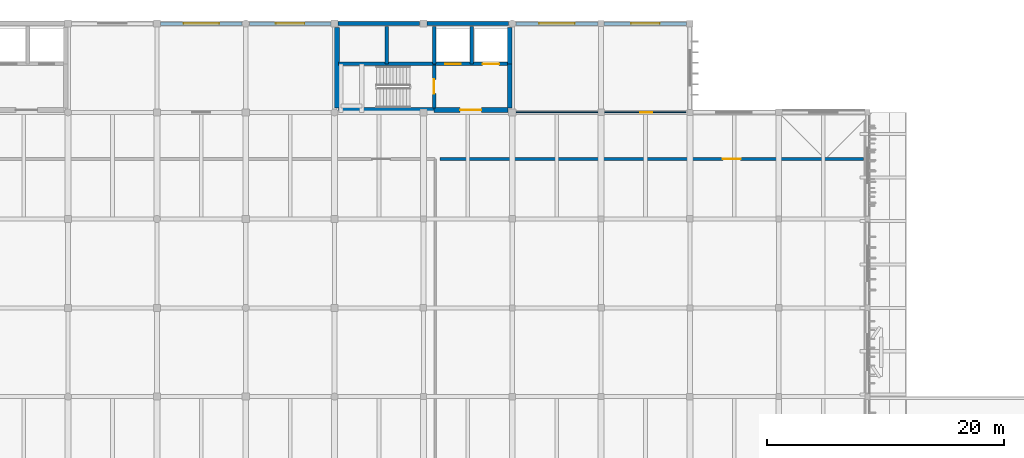
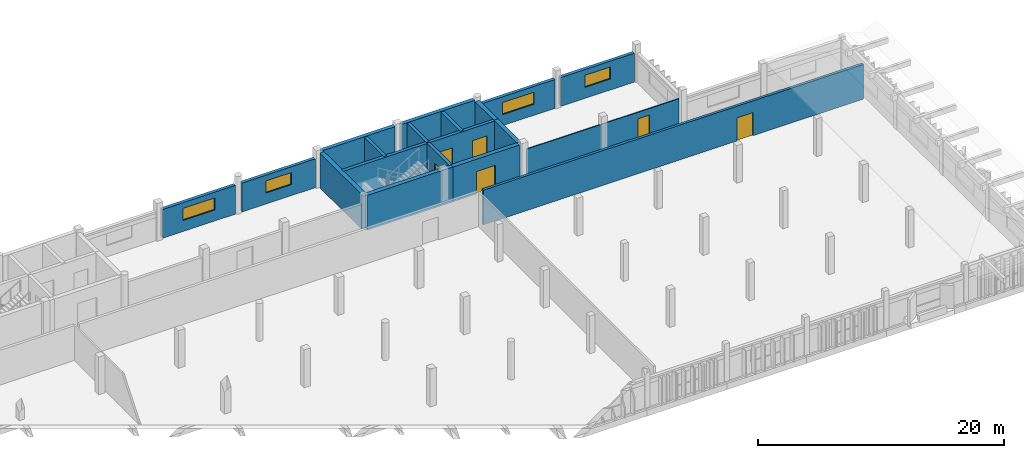
# One storey, part 23 of 43: 19 walls, 6 doors, 4 windows, 10 openings.
"""IFC4 building model written with IfcOpenShell, lengths in metres."""

from ifc_helpers import new_model, si_unit, direction, frame, frame_2d, origin, place, context, subcontext, project, spatial, rectangle, extrude, material, layer, layer_set, type_object, element, fill, save


model = new_model("IFC4")

# Units and contexts
model_context = context("Model", 3, precision=1e-05, world=origin(), true_north=direction((0.0, 1.0)))
body_context = subcontext(model_context, "Body", "Model", "MODEL_VIEW")
ifc_project = project(units=[si_unit("LENGTHUNIT", "METRE"), si_unit("AREAUNIT", "SQUARE_METRE"), si_unit("VOLUMEUNIT", "CUBIC_METRE"), si_unit("PLANEANGLEUNIT", "RADIAN"), si_unit("MASSUNIT", "GRAM", prefix="KILO")], contexts=[model_context])

# Site, building, storey
site_placement = place(None, origin())
site = spatial("IfcSite", under=ifc_project, at=site_placement, CompositionType="ELEMENT")
building_placement = place(site_placement, origin())
building = spatial("IfcBuilding", under=site, at=building_placement, Name="Dalvernix Boulevard General Hospital", CompositionType="ELEMENT")
storey_placement = place(building_placement, frame((0.0, 0.0, 14.10009765625)))
storey = spatial("IfcBuildingStorey", under=building, at=storey_placement, Name="L03", CompositionType="ELEMENT", Elevation=14.10009765625)

# Wall
ifc_material_1 = material(Name="Concrete C40/50", Category="concrete")
ifc_layer_1 = layer(ifc_material_1, 0.39990234375)
ifc_layer_set_1 = layer_set([ifc_layer_1], Name="Concrete C40/50 (WAL-CSW-01)")
wall_type_1 = type_object("IfcWallType", Name="WAL-CSW-01", PredefinedType="SHEAR", material=ifc_layer_set_1)
wall_1_placement = place(storey_placement, frame((97.85009765625, 109.699951171875, 0.0), z_axis=(0.0, 0.0, 1.0), x_axis=(1.0, 0.0, 0.0)))
element("IfcWall", 1, at=wall_1_placement, inside=storey, type_object=wall_type_1, Name="L03 C4 south stairwell wall", PredefinedType="SHEAR", context=body_context, shape_type="SweptSolid", body=[
    extrude(rectangle(XDim=8.0498046875, YDim=0.39990234375, at=frame_2d((4.02490234375, 0.0))), origin(), (0.0, 0.0, 1.0), 3.469970703125),
])

# Wall, opening, door
wall_2_placement = place(storey_placement, frame((105.89990234375, 109.699951171875, 0.0), z_axis=(0.0, 0.0, 1.0), x_axis=(1.0, 0.0, 0.0)))
wall_2 = element("IfcWall", 2, at=wall_2_placement, inside=storey, type_object=wall_type_1, Name="L03 C4 south firefighting lobby wall", PredefinedType="SHEAR", context=body_context, shape_type="SweptSolid", body=[
    extrude(rectangle(XDim=6.25, YDim=0.39990234375, at=frame_2d((3.125, 0.0))), origin(), (0.0, 0.0, 1.0), 3.469970703125),
])
opening_1_placement = place(wall_2_placement, frame((2.199951171875, 0.0, 0.0)))
opening_1 = element("IfcOpeningElement", 3, at=opening_1_placement, cuts=wall_2, Name="Opening FD-01", PredefinedType="OPENING", context=body_context, shape_type="SweptSolid", body=[
    extrude(rectangle(XDim=1.800048828125, YDim=2.25, at=frame_2d((0.89990234375, 1.125))), frame((0.0, 0.2099609375, 0.0), z_axis=(0.0, -1.0, 0.0), x_axis=(1.0, 0.0, 0.0)), (0.0, 0.0, 1.0), 0.419921875),
])
ifc_material_2 = material(Name="Hospital laminate acoustic timber and steel frame", Category="steel")
door_type_1 = type_object("IfcDoorType", Name="DR-FD-01", OperationType="DOUBLE_DOOR_SINGLE_SWING", PredefinedType="DOOR", material=ifc_material_2)
door_1_placement = place(opening_1_placement, origin())
door_1 = element("IfcDoor", 4, at=door_1_placement, inside=storey, type_object=door_type_1, Name="L03 C4 firefighting lobby door", OperationType="DOUBLE_DOOR_SINGLE_SWING", OverallHeight=2.25, OverallWidth=1.800048828125, PredefinedType="DOOR", context=body_context, shape_type="SweptSolid", body=[
    extrude(rectangle(XDim=1.800048828125, YDim=2.25, at=frame_2d((0.89990234375, 1.125))), frame((0.0, 0.02490234375, 0.0), z_axis=(0.0, -1.0, 0.0), x_axis=(1.0, 0.0, 0.0)), (0.0, 0.0, 1.0), 0.050048828125),
])
fill(opening_1, door_1)

# Walls
wall_3_placement = place(storey_placement, frame((97.699951171875, 109.85009765625, 0.0), z_axis=(0.0, 0.0, 1.0), x_axis=(0.0, 1.0, 0.0)))
element("IfcWall", 5, at=wall_3_placement, inside=storey, type_object=wall_type_1, Name="L03 C4 west core wall", PredefinedType="SHEAR", context=body_context, shape_type="SweptSolid", body=[
    extrude(rectangle(XDim=6.7998046875, YDim=0.39990234375, at=frame_2d((3.39990234375, 0.0))), origin(), (0.0, 0.0, 1.0), 3.469970703125),
])
wall_4_placement = place(storey_placement, frame((112.300048828125, 109.85009765625, 0.0), z_axis=(0.0, 0.0, 1.0), x_axis=(0.0, 1.0, 0.0)))
element("IfcWall", 6, at=wall_4_placement, inside=storey, type_object=wall_type_1, Name="L03 C4 east lobby core wall", PredefinedType="SHEAR", context=body_context, shape_type="SweptSolid", body=[
    extrude(rectangle(XDim=3.75, YDim=0.39990234375, at=frame_2d((1.875, 0.0))), origin(), (0.0, 0.0, 1.0), 3.469970703125),
])
wall_5_placement = place(storey_placement, frame((112.300048828125, 113.60009765625, 0.0), z_axis=(0.0, 0.0, 1.0), x_axis=(0.0, 1.0, 0.0)))
element("IfcWall", 7, at=wall_5_placement, inside=storey, type_object=wall_type_1, Name="L03 C4 east shaft core wall", PredefinedType="SHEAR", context=body_context, shape_type="SweptSolid", body=[
    extrude(rectangle(XDim=3.0498046875, YDim=0.39990234375, at=frame_2d((1.52490234375, 0.0))), origin(), (0.0, 0.0, 1.0), 3.469970703125),
])
ifc_layer_2 = layer(ifc_material_1, 0.300048828125)
ifc_layer_set_2 = layer_set([ifc_layer_2], Name="Concrete C40/50 (WAL-CSW-02)")
wall_type_2 = type_object("IfcWallType", Name="WAL-CSW-02", PredefinedType="SHEAR", material=ifc_layer_set_2)
wall_6_placement = place(storey_placement, frame((97.85009765625, 113.60009765625, 0.0), z_axis=(0.0, 0.0, 1.0), x_axis=(1.0, 0.0, 0.0)))
element("IfcWall", 8, at=wall_6_placement, inside=storey, type_object=wall_type_2, Name="L03 C4 riser spine wall", PredefinedType="SHEAR", context=body_context, shape_type="SweptSolid", body=[
    extrude(rectangle(XDim=8.0498046875, YDim=0.300048828125, at=frame_2d((4.02490234375, 0.0))), origin(), (0.0, 0.0, 1.0), 3.469970703125),
])

# Wall, openings, doors
wall_7_placement = place(storey_placement, frame((105.89990234375, 113.60009765625, 0.0), z_axis=(0.0, 0.0, 1.0), x_axis=(1.0, 0.0, 0.0)))
wall_7 = element("IfcWall", 9, at=wall_7_placement, inside=storey, type_object=wall_type_2, Name="L03 C4 lift shaft front wall", PredefinedType="SHEAR", context=body_context, shape_type="SweptSolid", body=[
    extrude(rectangle(XDim=6.25, YDim=0.300048828125, at=frame_2d((3.125, 0.0))), origin(), (0.0, 0.0, 1.0), 3.469970703125),
])
opening_2_placement = place(wall_7_placement, frame((0.949951171875, 0.0, 0.0)))
opening_2 = element("IfcOpeningElement", 10, at=opening_2_placement, cuts=wall_7, Name="Opening LD-LF-03-L03", PredefinedType="OPENING", context=body_context, shape_type="SweptSolid", body=[
    extrude(rectangle(XDim=1.300048828125, YDim=2.199951171875, at=frame_2d((0.64990234375, 1.10009765625))), frame((0.0, 0.159912109375, 0.0), z_axis=(0.0, -1.0, 0.0), x_axis=(1.0, 0.0, 0.0)), (0.0, 0.0, 1.0), 0.320068359375),
])
opening_3_placement = place(wall_7_placement, frame((4.10009765625, 0.0, 0.0)))
opening_3 = element("IfcOpeningElement", 11, at=opening_3_placement, cuts=wall_7, Name="Opening LD-GL-01-L03", PredefinedType="OPENING", context=body_context, shape_type="SweptSolid", body=[
    extrude(rectangle(XDim=1.39990234375, YDim=2.25, at=frame_2d((0.699951171875, 1.125))), frame((0.0, 0.159912109375, 0.0), z_axis=(0.0, -1.0, 0.0), x_axis=(1.0, 0.0, 0.0)), (0.0, 0.0, 1.0), 0.320068359375),
])
ifc_material_3 = material(Name="Stainless-clad steel", Category="steel")
door_type_2 = type_object("IfcDoorType", Name="DR-LD-01", OperationType="DOUBLE_DOOR_SLIDING", PredefinedType="DOOR", material=ifc_material_3)
door_2_placement = place(opening_3_placement, origin())
door_2 = element("IfcDoor", 12, at=door_2_placement, inside=storey, type_object=door_type_2, Name="L03 Lift GL-01 sliding landing door", OperationType="DOUBLE_DOOR_SLIDING", OverallHeight=2.25, OverallWidth=1.39990234375, PredefinedType="DOOR", context=body_context, shape_type="SweptSolid", body=[
    extrude(rectangle(XDim=1.39990234375, YDim=2.25, at=frame_2d((0.699951171875, 1.125))), frame((0.0, 0.02490234375, 0.0), z_axis=(0.0, -1.0, 0.0), x_axis=(1.0, 0.0, 0.0)), (0.0, 0.0, 1.0), 0.050048828125),
])
fill(opening_3, door_2)
door_type_3 = type_object("IfcDoorType", Name="DR-LD-02", OperationType="DOUBLE_DOOR_SLIDING", PredefinedType="DOOR", material=ifc_material_3)
door_3_placement = place(opening_2_placement, origin())
door_3 = element("IfcDoor", 13, at=door_3_placement, inside=storey, type_object=door_type_3, Name="L03 Lift LF-03 sliding landing door", OperationType="DOUBLE_DOOR_SLIDING", OverallHeight=2.199951171875, OverallWidth=1.300048828125, PredefinedType="DOOR", context=body_context, shape_type="SweptSolid", body=[
    extrude(rectangle(XDim=1.300048828125, YDim=2.199951171875, at=frame_2d((0.64990234375, 1.10009765625))), frame((0.0, 0.02490234375, 0.0), z_axis=(0.0, -1.0, 0.0), x_axis=(1.0, 0.0, 0.0)), (0.0, 0.0, 1.0), 0.050048828125),
])
fill(opening_2, door_3)

# Wall, opening, door
wall_8_placement = place(storey_placement, frame((105.89990234375, 113.5, 0.0), z_axis=(0.0, 0.0, 1.0), x_axis=(0.0, -1.0, 0.0)))
wall_8 = element("IfcWall", 14, at=wall_8_placement, inside=storey, type_object=wall_type_2, Name="L03 C4 stairwell fire wall", PredefinedType="SHEAR", context=body_context, shape_type="SweptSolid", body=[
    extrude(rectangle(XDim=3.64990234375, YDim=0.300048828125, at=frame_2d((1.824951171875, 0.0))), origin(), (0.0, 0.0, 1.0), 3.469970703125),
])
opening_4_placement = place(wall_8_placement, frame((1.219970703125, 0.0, 0.0)))
opening_4 = element("IfcOpeningElement", 15, at=opening_4_placement, cuts=wall_8, Name="Opening FD-02", PredefinedType="OPENING", context=body_context, shape_type="SweptSolid", body=[
    extrude(rectangle(XDim=1.199951171875, YDim=2.25, at=frame_2d((0.60009765625, 1.125))), frame((0.0, 0.159912109375, 0.0), z_axis=(0.0, -1.0, 0.0), x_axis=(1.0, 0.0, 0.0)), (0.0, 0.0, 1.0), 0.320068359375),
])
door_type_4 = type_object("IfcDoorType", Name="DR-FD-02", OperationType="NOTDEFINED", PredefinedType="DOOR", material=ifc_material_2)
door_4_placement = place(opening_4_placement, origin())
door_4 = element("IfcDoor", 16, at=door_4_placement, inside=storey, type_object=door_type_4, Name="L03 Stair ST-04 fire door", OperationType="SINGLE_SWING_LEFT", OverallHeight=2.25, OverallWidth=1.199951171875, PredefinedType="DOOR", context=body_context, shape_type="SweptSolid", body=[
    extrude(rectangle(XDim=1.199951171875, YDim=2.25, at=frame_2d((0.60009765625, 1.125))), frame((0.0, 0.02490234375, 0.0), z_axis=(0.0, -1.0, 0.0), x_axis=(1.0, 0.0, 0.0)), (0.0, 0.0, 1.0), 0.050048828125),
])
fill(opening_4, door_4)

# Walls
for number, where, z_axis, x_axis, name in (
    (17, (101.89990234375, 113.60009765625, 0.0), (0.0, 0.0, 1.0), (0.0, 1.0, 0.0), "L03 C4 shaft divider R1"),
    (18, (105.89990234375, 113.60009765625, 0.0), (0.0, 0.0, 1.0), (0.0, 1.0, 0.0), "L03 C4 shaft divider R2"),
    (19, (109.10009765625, 113.60009765625, 0.0), (0.0, 0.0, 1.0), (0.0, 1.0, 0.0), "L03 C4 shaft divider L1"),
):
    element("IfcWall", number, at=place(storey_placement, frame(where, z_axis=z_axis, x_axis=x_axis)), inside=storey, type_object=wall_type_2, Name=name, PredefinedType="SHEAR", context=body_context, shape_type="SweptSolid", body=[
        extrude(rectangle(XDim=3.14990234375, YDim=0.300048828125, at=frame_2d((1.574951171875, 0.0))), origin(), (0.0, 0.0, 1.0), 3.469970703125),
    ])
ifc_layer_3 = layer(ifc_material_1, 0.35009765625)
ifc_layer_set_3 = layer_set([ifc_layer_3], Name="Concrete C40/50 (WAL-ESW-01)")
wall_type_3 = type_object("IfcWallType", Name="WAL-ESW-01", PredefinedType="SHEAR", material=ifc_layer_set_3)
for number, where, z_axis, x_axis, name in (
    (20, (97.81005859375, 117.0, 0.0), (0.0, 0.0, 1.0), (1.0, 0.0, 0.0), "L03 core perimeter shear wall N 13-15"),
    (21, (105.31005859375, 117.0, 0.0), (0.0, 0.0, 1.0), (1.0, 0.0, 0.0), "L03 core perimeter shear wall N 14-15"),
):
    element("IfcWall", number, at=place(storey_placement, frame(where, z_axis=z_axis, x_axis=x_axis)), inside=storey, type_object=wall_type_3, Name=name, PredefinedType="SHEAR", context=body_context, shape_type="SweptSolid", body=[
        extrude(rectangle(XDim=6.8798828125, YDim=0.35009765625, at=frame_2d((3.43994140625, 0.0))), origin(), (0.0, 0.0, 1.0), 3.469970703125),
    ])

# Wall, opening, window
ifc_material_4 = material(Name="Pressed Catalan clay brick and ceramic spandrel wall C35/45", Category="masonry")
ifc_layer_4 = layer(ifc_material_4, 0.300048828125)
ifc_layer_set_4 = layer_set([ifc_layer_4], Name="Pressed Catalan clay brick and ceramic spandrel wall C35/45 (WAL-EW-02)")
wall_type_4 = type_object("IfcWallType", Name="WAL-EW-02", PredefinedType="STANDARD", material=ifc_layer_set_4)
wall_9_placement = place(storey_placement, frame((82.81005859375, 117.0, 0.0), z_axis=(0.0, 0.0, 1.0), x_axis=(1.0, 0.0, 0.0)))
wall_9 = element("IfcWall", 22, at=wall_9_placement, inside=storey, type_object=wall_type_4, Name="L03 Catalan brick external wall N 11-15", PredefinedType="STANDARD", context=body_context, shape_type="SweptSolid", body=[
    extrude(rectangle(XDim=6.8798828125, YDim=0.300048828125, at=frame_2d((3.43994140625, 0.0))), origin(), (0.0, 0.0, 1.0), 2.869873046875),
])
opening_5_placement = place(wall_9_placement, frame((1.93994140625, 0.0, 1.10009765625)))
opening_5 = element("IfcOpeningElement", 23, at=opening_5_placement, cuts=wall_9, Name="Opening WN-18", PredefinedType="OPENING", context=body_context, shape_type="SweptSolid", body=[
    extrude(rectangle(XDim=3.0, YDim=1.199951171875, at=frame_2d((1.5, 0.60009765625))), frame((0.0, 0.159912109375, 0.0), z_axis=(0.0, -1.0, 0.0), x_axis=(1.0, 0.0, 0.0)), (0.0, 0.0, 1.0), 0.320068359375),
])
ifc_material_5 = material(Name="Thermally broken aluminium frame with solar-control double glazing", Category="aluminium")
window_type_1 = type_object("IfcWindowType", Name="WIN-WN-18", PartitioningType="SINGLE_PANEL", PredefinedType="WINDOW", material=ifc_material_5)
window_1_placement = place(opening_5_placement, origin())
window_1 = element("IfcWindow", 24, at=window_1_placement, inside=storey, type_object=window_type_1, Name="L03 clinical window WN-18 N 11-15", OverallHeight=1.199951171875, OverallWidth=3.0, PartitioningType="SINGLE_PANEL", PredefinedType="WINDOW", context=body_context, shape_type="SweptSolid", body=[
    extrude(rectangle(XDim=3.0, YDim=1.199951171875, at=frame_2d((1.5, 0.60009765625))), frame((0.0, 0.030029296875, 0.0), z_axis=(0.0, -1.0, 0.0), x_axis=(1.0, 0.0, 0.0)), (0.0, 0.0, 1.0), 0.06005859375),
])
fill(opening_5, window_1)

wall_10_placement = place(storey_placement, frame((90.31005859375, 117.0, 0.0), z_axis=(0.0, 0.0, 1.0), x_axis=(1.0, 0.0, 0.0)))
wall_10 = element("IfcWall", 25, at=wall_10_placement, inside=storey, type_object=wall_type_4, Name="L03 Catalan brick external wall N 12-15", PredefinedType="STANDARD", context=body_context, shape_type="SweptSolid", body=[
    extrude(rectangle(XDim=6.8798828125, YDim=0.300048828125, at=frame_2d((3.43994140625, 0.0))), origin(), (0.0, 0.0, 1.0), 2.869873046875),
])
opening_6_placement = place(wall_10_placement, frame((2.239990234375, 0.0, 1.10009765625)))
opening_6 = element("IfcOpeningElement", 26, at=opening_6_placement, cuts=wall_10, Name="Opening WN-17", PredefinedType="OPENING", context=body_context, shape_type="SweptSolid", body=[
    extrude(rectangle(XDim=2.39990234375, YDim=1.199951171875, at=frame_2d((1.199951171875, 0.60009765625))), frame((0.0, 0.159912109375, 0.0), z_axis=(0.0, -1.0, 0.0), x_axis=(1.0, 0.0, 0.0)), (0.0, 0.0, 1.0), 0.320068359375),
])
window_type_2 = type_object("IfcWindowType", Name="WIN-WN-17", PartitioningType="SINGLE_PANEL", PredefinedType="WINDOW", material=ifc_material_5)
window_2_placement = place(opening_6_placement, origin())
window_2 = element("IfcWindow", 27, at=window_2_placement, inside=storey, type_object=window_type_2, Name="L03 clinical window WN-17 N 12-15", OverallHeight=1.199951171875, OverallWidth=2.39990234375, PartitioningType="SINGLE_PANEL", PredefinedType="WINDOW", context=body_context, shape_type="SweptSolid", body=[
    extrude(rectangle(XDim=2.39990234375, YDim=1.199951171875, at=frame_2d((1.199951171875, 0.60009765625))), frame((0.0, 0.030029296875, 0.0), z_axis=(0.0, -1.0, 0.0), x_axis=(1.0, 0.0, 0.0)), (0.0, 0.0, 1.0), 0.06005859375),
])
fill(opening_6, window_2)

wall_11_placement = place(storey_placement, frame((112.81005859375, 117.0, 0.0), z_axis=(0.0, 0.0, 1.0), x_axis=(1.0, 0.0, 0.0)))
wall_11 = element("IfcWall", 28, at=wall_11_placement, inside=storey, type_object=wall_type_4, Name="L03 Catalan brick external wall N 15-15", PredefinedType="STANDARD", context=body_context, shape_type="SweptSolid", body=[
    extrude(rectangle(XDim=6.929931640625, YDim=0.300048828125, at=frame_2d((3.46484375, 0.0))), origin(), (0.0, 0.0, 1.0), 2.869873046875),
])
opening_7_placement = place(wall_11_placement, frame((1.965087890625, 0.0, 1.10009765625)))
opening_7 = element("IfcOpeningElement", 29, at=opening_7_placement, cuts=wall_11, Name="Opening WN-18", PredefinedType="OPENING", context=body_context, shape_type="SweptSolid", body=[
    extrude(rectangle(XDim=3.0, YDim=1.199951171875, at=frame_2d((1.5, 0.60009765625))), frame((0.0, 0.159912109375, 0.0), z_axis=(0.0, -1.0, 0.0), x_axis=(1.0, 0.0, 0.0)), (0.0, 0.0, 1.0), 0.320068359375),
])
window_3_placement = place(opening_7_placement, origin())
window_3 = element("IfcWindow", 30, at=window_3_placement, inside=storey, type_object=window_type_1, Name="L03 clinical window WN-18 N 15-15", OverallHeight=1.199951171875, OverallWidth=3.0, PartitioningType="SINGLE_PANEL", PredefinedType="WINDOW", context=body_context, shape_type="SweptSolid", body=[
    extrude(rectangle(XDim=3.0, YDim=1.199951171875, at=frame_2d((1.5, 0.60009765625))), frame((0.0, 0.030029296875, 0.0), z_axis=(0.0, -1.0, 0.0), x_axis=(1.0, 0.0, 0.0)), (0.0, 0.0, 1.0), 0.06005859375),
])
fill(opening_7, window_3)

wall_12_placement = place(storey_placement, frame((120.260009765625, 117.0, 0.0), z_axis=(0.0, 0.0, 1.0), x_axis=(1.0, 0.0, 0.0)))
wall_12 = element("IfcWall", 31, at=wall_12_placement, inside=storey, type_object=wall_type_4, Name="L03 Catalan brick external wall N 16-15", PredefinedType="STANDARD", context=body_context, shape_type="SweptSolid", body=[
    extrude(rectangle(XDim=6.955078125, YDim=0.300048828125, at=frame_2d((3.4775390625, 0.0))), origin(), (0.0, 0.0, 1.0), 2.869873046875),
])
opening_8_placement = place(wall_12_placement, frame((2.277587890625, 0.0, 1.10009765625)))
opening_8 = element("IfcOpeningElement", 32, at=opening_8_placement, cuts=wall_12, Name="Opening WN-17", PredefinedType="OPENING", context=body_context, shape_type="SweptSolid", body=[
    extrude(rectangle(XDim=2.39990234375, YDim=1.199951171875, at=frame_2d((1.199951171875, 0.60009765625))), frame((0.0, 0.159912109375, 0.0), z_axis=(0.0, -1.0, 0.0), x_axis=(1.0, 0.0, 0.0)), (0.0, 0.0, 1.0), 0.320068359375),
])
window_4_placement = place(opening_8_placement, origin())
window_4 = element("IfcWindow", 33, at=window_4_placement, inside=storey, type_object=window_type_2, Name="L03 clinical window WN-17 N 16-15", OverallHeight=1.199951171875, OverallWidth=2.39990234375, PartitioningType="SINGLE_PANEL", PredefinedType="WINDOW", context=body_context, shape_type="SweptSolid", body=[
    extrude(rectangle(XDim=2.39990234375, YDim=1.199951171875, at=frame_2d((1.199951171875, 0.60009765625))), frame((0.0, 0.030029296875, 0.0), z_axis=(0.0, -1.0, 0.0), x_axis=(1.0, 0.0, 0.0)), (0.0, 0.0, 1.0), 0.06005859375),
])
fill(opening_8, window_4)

# Wall, opening, door
ifc_material_6 = material(Name="Acoustic fire-rated masonry clinical wall", Category="masonry")
ifc_layer_5 = layer(ifc_material_6, 0.25)
ifc_layer_set_5 = layer_set([ifc_layer_5], Name="Acoustic fire-rated masonry clinical wall (WAL-IW-01)")
wall_type_5 = type_object("IfcWallType", Name="WAL-IW-01", PredefinedType="STANDARD", material=ifc_layer_set_5)
wall_13_placement = place(storey_placement, frame((142.14990234375, 105.550048828125, 0.0), z_axis=(0.0, 0.0, 1.0), x_axis=(-1.0, 0.0, 0.0)))
wall_13 = element("IfcWall", 34, at=wall_13_placement, inside=storey, type_object=wall_type_5, Name="L03 Interstitial Medical Gas and Filtration Plant East corridor wall", PredefinedType="STANDARD", context=body_context, shape_type="SweptSolid", body=[
    extrude(rectangle(XDim=35.75, YDim=0.25, at=frame_2d((17.875, 0.0))), origin(), (0.0, 0.0, 1.0), 3.454833984375),
])
opening_9_placement = place(wall_13_placement, frame((10.375, 0.0, 0.0)))
opening_9 = element("IfcOpeningElement", 35, at=opening_9_placement, cuts=wall_13, Name="Opening ID-14", PredefinedType="OPENING", context=body_context, shape_type="SweptSolid", body=[
    extrude(rectangle(XDim=1.5, YDim=2.300048828125, at=frame_2d((0.75, 1.14990234375))), frame((0.0, 0.135009765625, 0.0), z_axis=(0.0, -1.0, 0.0), x_axis=(1.0, 0.0, 0.0)), (0.0, 0.0, 1.0), 0.27001953125),
])
door_type_5 = type_object("IfcDoorType", Name="DR-ID-14", OperationType="DOUBLE_DOOR_SINGLE_SWING", PredefinedType="DOOR", material=ifc_material_2)
door_5_placement = place(opening_9_placement, origin())
door_5 = element("IfcDoor", 36, at=door_5_placement, inside=storey, type_object=door_type_5, Name="L03 Interstitial Medical Gas and Filtration Plant East door", OperationType="DOUBLE_DOOR_SINGLE_SWING", OverallHeight=2.300048828125, OverallWidth=1.5, PredefinedType="DOOR", context=body_context, shape_type="SweptSolid", body=[
    extrude(rectangle(XDim=1.5, YDim=2.300048828125, at=frame_2d((0.75, 1.14990234375))), frame((0.0, 0.02490234375, 0.0), z_axis=(0.0, -1.0, 0.0), x_axis=(1.0, 0.0, 0.0)), (0.0, 0.0, 1.0), 0.050048828125),
])
fill(opening_9, door_5)

ifc_material_7 = material(Name="Fire-resisting clinical sub-partition")
ifc_layer_6 = layer(ifc_material_7, 0.10009765625)
ifc_layer_set_6 = layer_set([ifc_layer_6], Name="Fire-resisting clinical sub-partition (WAL-IW-06)")
wall_type_6 = type_object("IfcWallType", Name="WAL-IW-06", PredefinedType="PARTITIONING", material=ifc_layer_set_6)
wall_14_placement = place(storey_placement, frame((112.800048828125, 109.5, 0.0), z_axis=(0.0, 0.0, 1.0), x_axis=(1.0, 0.0, 0.0)))
wall_14 = element("IfcWall", 37, at=wall_14_placement, inside=storey, type_object=wall_type_6, Name="L03 Surgical Instrument Biomedical Workshop corridor wall", PredefinedType="PARTITIONING", context=body_context, shape_type="SweptSolid", body=[
    extrude(rectangle(XDim=14.349853515625, YDim=0.10009765625, at=frame_2d((7.1748046875, 0.0))), origin(), (0.0, 0.0, 1.0), 2.85498046875),
])
opening_10_placement = place(wall_14_placement, frame((10.489990234375, 0.0, 0.0)))
opening_10 = element("IfcOpeningElement", 38, at=opening_10_placement, cuts=wall_14, Name="Opening ID-07", PredefinedType="OPENING", context=body_context, shape_type="SweptSolid", body=[
    extrude(rectangle(XDim=1.050048828125, YDim=2.199951171875, at=frame_2d((0.52490234375, 1.10009765625))), frame((0.0, 0.06005859375, 0.0), z_axis=(0.0, -1.0, 0.0), x_axis=(1.0, 0.0, 0.0)), (0.0, 0.0, 1.0), 0.1201171875),
])
door_type_6 = type_object("IfcDoorType", Name="DR-ID-07", OperationType="NOTDEFINED", PredefinedType="DOOR", material=ifc_material_2)
door_6_placement = place(opening_10_placement, origin())
door_6 = element("IfcDoor", 39, at=door_6_placement, inside=storey, type_object=door_type_6, Name="L03 Surgical Instrument Biomedical Workshop door", OperationType="SINGLE_SWING_RIGHT", OverallHeight=2.199951171875, OverallWidth=1.050048828125, PredefinedType="DOOR", context=body_context, shape_type="SweptSolid", body=[
    extrude(rectangle(XDim=1.050048828125, YDim=2.199951171875, at=frame_2d((0.52490234375, 1.10009765625))), frame((0.0, 0.02490234375, 0.0), z_axis=(0.0, -1.0, 0.0), x_axis=(1.0, 0.0, 0.0)), (0.0, 0.0, 1.0), 0.050048828125),
])
fill(opening_10, door_6)

save(model, "model.ifc")
